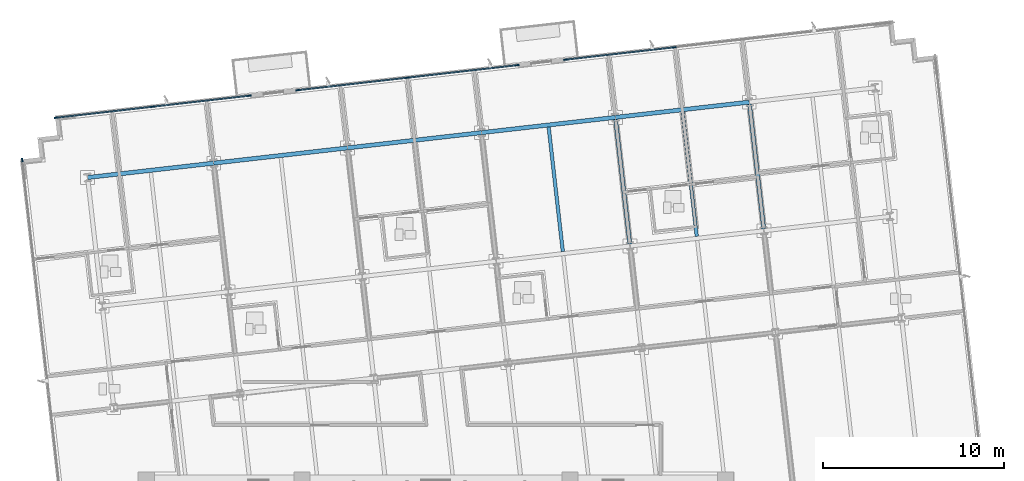
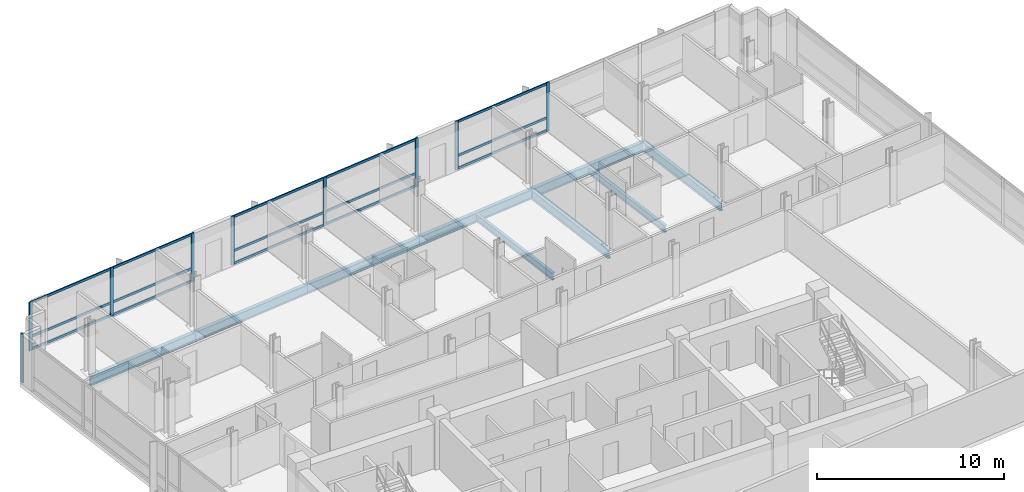
# One storey, part 5 of 17: 24 members, 9 beams, 4 elements without a shape of their own.
"""IFC4 building model written with IfcOpenShell, lengths in metres."""

from ifc_helpers import new_model, si_unit, direction, frame, origin, origin_2d, place, context, subcontext, project, spatial, rectangle, i_section, extrude, material, material_profile, profile_set, type_object, element, aggregate, save


model = new_model("IFC4")

# Units and contexts
model_context = context("Model", 3, precision=1e-05, world=origin(), true_north=direction((0.0, 1.0)))
body_context = subcontext(model_context, "Body", "Model", "MODEL_VIEW")
ifc_project = project(units=[si_unit("LENGTHUNIT", "METRE"), si_unit("AREAUNIT", "SQUARE_METRE"), si_unit("VOLUMEUNIT", "CUBIC_METRE"), si_unit("PLANEANGLEUNIT", "RADIAN"), si_unit("MASSUNIT", "GRAM", prefix="KILO")], contexts=[model_context])

# Site, building, storey
site_placement = place(None, origin())
site = spatial("IfcSite", under=ifc_project, at=site_placement, CompositionType="ELEMENT")
building_placement = place(site_placement, origin())
building = spatial("IfcBuilding", under=site, at=building_placement, Name="Solmavex Isthmus Hotel", CompositionType="ELEMENT")
storey_placement = place(building_placement, frame((0.0, 0.0, 198.60009765625)))
storey = spatial("IfcBuildingStorey", under=building, at=storey_placement, Name="L53", CompositionType="ELEMENT", Elevation=198.60009765625)

# Beams
ifc_material_1 = material(Name="Steel ASTM A992 Grade 50", Category="steel")
ifc_material_profile_1 = material_profile(ifc_material_1, i_section(OverallWidth=0.1904296875, OverallDepth=0.456787109375, WebThickness=0.009033203125, FlangeThickness=0.014404296875, FilletRadius=0.0126953125, at=origin_2d()), Name="W18X50")
ifc_profile_set_1 = profile_set([ifc_material_profile_1], Name="Steel ASTM A992 Grade 50")
beam_type_1 = type_object("IfcBeamType", Name="BM-BJ-W18X50", PredefinedType="JOIST", material=ifc_profile_set_1)
for number, where, z_axis, x_axis, name in (
    (1, (7.009033203125, 10.1328125, -0.488525390625), (-0.113202453846, 0.993571942258, 0.0), (-0.993571942258, -0.113202453846, 0.0), "Secondary Floor Joist L53-J14"),
    (2, (14.4072265625, 10.975830078125, -0.488525390625), (-0.113202453846, 0.993571942258, 0.0), (-0.993571942258, -0.113202453846, 0.0), "Secondary Floor Joist L53-J18"),
):
    element("IfcBeam", number, at=place(storey_placement, frame(where, z_axis=z_axis, x_axis=x_axis)), inside=storey, type_object=beam_type_1, Name=name, PredefinedType="JOIST", context=body_context, shape_type="SweptSolid", body=[
        extrude(i_section(OverallWidth=0.1904296875, OverallDepth=0.456787109375, WebThickness=0.009033203125, FlangeThickness=0.014404296875, FilletRadius=0.0126953125, at=origin_2d()), origin(), (0.0, 0.0, 1.0), 6.9228515625),
    ])
ifc_material_profile_2 = material_profile(ifc_material_1, i_section(OverallWidth=0.227783203125, OverallDepth=0.602783203125, WebThickness=0.010498046875, FlangeThickness=0.014892578125, FilletRadius=0.01513671875, at=origin_2d()), Name="W24X68")
ifc_profile_set_2 = profile_set([ifc_material_profile_2], Name="Steel ASTM A992 Grade 50")
beam_type_2 = type_object("IfcBeamType", Name="BM-BM-W24X68", PredefinedType="BEAM", material=ifc_profile_set_2)
for number, where, z_axis, x_axis, name in (
    (3, (10.708251953125, 10.55419921875, -0.5615234375), (-0.113202453846, 0.993571942258, 0.0), (-0.993571942258, -0.113202453846, 0.0), "Floor Beam L53-VG39"),
    (4, (18.106201171875, 11.397216796875, -0.5615234375), (-0.113202453846, 0.993571942258, 0.0), (-0.993571942258, -0.113202453846, 0.0), "Floor Beam L53-VG42"),
):
    element("IfcBeam", number, at=place(storey_placement, frame(where, z_axis=z_axis, x_axis=x_axis)), inside=storey, type_object=beam_type_2, Name=name, PredefinedType="BEAM", context=body_context, shape_type="SweptSolid", body=[
        extrude(i_section(OverallWidth=0.227783203125, OverallDepth=0.602783203125, WebThickness=0.010498046875, FlangeThickness=0.014892578125, FilletRadius=0.01513671875, at=origin_2d()), origin(), (0.0, 0.0, 1.0), 6.9228515625),
    ])
ifc_material_profile_3 = material_profile(ifc_material_1, i_section(OverallWidth=0.230224609375, OverallDepth=0.617431640625, WebThickness=0.01318359375, FlangeThickness=0.022216796875, FilletRadius=0.01513671875, at=origin_2d()), Name="W24X94")
ifc_profile_set_3 = profile_set([ifc_material_profile_3], Name="Steel ASTM A992 Grade 50")
beam_type_3 = type_object("IfcBeamType", Name="BM-SP-W24X94", PredefinedType="SPANDREL", material=ifc_profile_set_3)
beam_1_placement = place(storey_placement, frame((-19.245849609375, 14.22509765625, -0.56884765625), z_axis=(0.99357359356, 0.113187959519, 0.0), x_axis=(-0.113187959519, 0.99357359356, 0.0)))
element("IfcBeam", 5, at=beam_1_placement, inside=storey, type_object=beam_type_3, Name="Floor Girder L53-UG18", PredefinedType="SPANDREL", context=body_context, shape_type="SweptSolid", body=[
    extrude(i_section(OverallWidth=0.230224609375, OverallDepth=0.617431640625, WebThickness=0.01318359375, FlangeThickness=0.022216796875, FilletRadius=0.01513671875, at=origin_2d()), origin(), (0.0, 0.0, 1.0), 7.0078125),
])
beam_2_placement = place(storey_placement, frame((-12.282958984375, 15.018310546875, -0.56884765625), z_axis=(0.9935703463, 0.113216460607, 0.0), x_axis=(-0.113216460607, 0.9935703463, 0.0)))
element("IfcBeam", 6, at=beam_2_placement, inside=storey, type_object=beam_type_3, Name="Floor Girder L53-UG19", PredefinedType="SPANDREL", context=body_context, shape_type="SweptSolid", body=[
    extrude(i_section(OverallWidth=0.230224609375, OverallDepth=0.617431640625, WebThickness=0.01318359375, FlangeThickness=0.022216796875, FilletRadius=0.01513671875, at=origin_2d()), origin(), (0.0, 0.0, 1.0), 7.446044921875),
])
beam_3_placement = place(storey_placement, frame((-4.884765625, 15.861328125, -0.56884765625), z_axis=(0.993573613989, 0.113187780196, 0.0), x_axis=(-0.113187780196, 0.993573613989, 0.0)))
element("IfcBeam", 7, at=beam_3_placement, inside=storey, type_object=beam_type_3, Name="Floor Girder L53-UG20", PredefinedType="SPANDREL", context=body_context, shape_type="SweptSolid", body=[
    extrude(i_section(OverallWidth=0.230224609375, OverallDepth=0.617431640625, WebThickness=0.01318359375, FlangeThickness=0.022216796875, FilletRadius=0.01513671875, at=origin_2d()), origin(), (0.0, 0.0, 1.0), 7.44580078125),
])
for number, where, z_axis, x_axis, name in (
    (8, (2.51318359375, 16.7041015625, -0.56884765625), (0.9935703463, 0.113216460607, 0.0), (-0.113216460607, 0.9935703463, 0.0), "Floor Girder L53-UG21"),
    (9, (9.911376953125, 17.547119140625, -0.56884765625), (0.9935703463, 0.113216460607, 0.0), (-0.113216460607, 0.9935703463, 0.0), "Floor Girder L53-UG22"),
):
    element("IfcBeam", number, at=place(storey_placement, frame(where, z_axis=z_axis, x_axis=x_axis)), inside=storey, type_object=beam_type_3, Name=name, PredefinedType="SPANDREL", context=body_context, shape_type="SweptSolid", body=[
        extrude(i_section(OverallWidth=0.230224609375, OverallDepth=0.617431640625, WebThickness=0.01318359375, FlangeThickness=0.022216796875, FilletRadius=0.01513671875, at=origin_2d()), origin(), (0.0, 0.0, 1.0), 7.446044921875),
    ])

# Curtain wall, members
ifc_material_2 = material(Name="Aluminium alloy 6063-T6", Category="aluminium")
curtain_wall_type = type_object("IfcCurtainWallType", Name="CW-SYS-04", PredefinedType="NOTDEFINED", material=ifc_material_2)
curtain_wall_1_placement = place(storey_placement, origin())
curtain_wall_1 = element("IfcCurtainWall", 10, at=curtain_wall_1_placement, inside=storey, type_object=curtain_wall_type, Name="Stick Curtain Wall CWL-L53-N1", PredefinedType="NOTDEFINED")
ifc_material_profile_4 = material_profile(ifc_material_2, rectangle(XDim=0.074951171875, YDim=0.199951171875, at=origin_2d()), Name="CWM-75X200")
ifc_profile_set_4 = profile_set([ifc_material_profile_4], Name="Aluminium alloy 6063-T6")
member_type_1 = type_object("IfcMemberType", Name="CW-SYS-04-MUL", PredefinedType="MULLION", material=ifc_profile_set_4)
member_1_placement = place(storey_placement, frame((-20.99365234375, 17.528564453125, 0.0), z_axis=(0.0, 0.0, 1.0), x_axis=(-0.113202814871, 0.993571901125, 0.0)))
member_1 = element("IfcMember", 11, at=member_1_placement, type_object=member_type_1, Name="CW-04 mullion 1", PredefinedType="MULLION", context=body_context, shape_type="SweptSolid", body=[
    extrude(rectangle(XDim=0.074951171875, YDim=0.199951171875, at=origin_2d()), origin(), (0.0, 0.0, 1.0), 3.18994140625),
])
member_2_placement = place(storey_placement, frame((-15.650146484375, 18.13720703125, 0.0), z_axis=(0.0, 0.0, 1.0), x_axis=(-0.113202814871, 0.993571901125, 0.0)))
member_2 = element("IfcMember", 12, at=member_2_placement, type_object=member_type_1, Name="CW-04 mullion 2", PredefinedType="MULLION", context=body_context, shape_type="SweptSolid", body=[
    extrude(rectangle(XDim=0.074951171875, YDim=0.199951171875, at=origin_2d()), origin(), (0.0, 0.0, 1.0), 3.18994140625),
])
member_3_placement = place(storey_placement, frame((-10.306884765625, 18.74609375, 0.0), z_axis=(0.0, 0.0, 1.0), x_axis=(-0.113202814871, 0.993571901125, 0.0)))
member_3 = element("IfcMember", 13, at=member_3_placement, type_object=member_type_1, Name="CW-04 mullion 3", PredefinedType="MULLION", context=body_context, shape_type="SweptSolid", body=[
    extrude(rectangle(XDim=0.074951171875, YDim=0.199951171875, at=origin_2d()), origin(), (0.0, 0.0, 1.0), 3.18994140625),
])

curtain_wall_2_placement = place(storey_placement, origin())
curtain_wall_2 = element("IfcCurtainWall", 14, at=curtain_wall_2_placement, inside=storey, type_object=curtain_wall_type, Name="Stick Curtain Wall CWL-L53-N2", PredefinedType="NOTDEFINED")
member_4_placement = place(storey_placement, frame((-7.64892578125, 19.048828125, 0.0), z_axis=(0.0, 0.0, 1.0), x_axis=(-0.113202856801, 0.993571896348, 0.0)))
member_4 = element("IfcMember", 15, at=member_4_placement, type_object=member_type_1, Name="CW-04 mullion 1", PredefinedType="MULLION", context=body_context, shape_type="SweptSolid", body=[
    extrude(rectangle(XDim=0.074951171875, YDim=0.199951171875, at=origin_2d()), origin(), (0.0, 0.0, 1.0), 3.18994140625),
])
member_5_placement = place(storey_placement, frame((-1.579833984375, 19.740478515625, 0.0), z_axis=(0.0, 0.0, 1.0), x_axis=(-0.113202856801, 0.993571896348, 0.0)))
member_5 = element("IfcMember", 16, at=member_5_placement, type_object=member_type_1, Name="CW-04 mullion 2", PredefinedType="MULLION", context=body_context, shape_type="SweptSolid", body=[
    extrude(rectangle(XDim=0.074951171875, YDim=0.199951171875, at=origin_2d()), origin(), (0.0, 0.0, 1.0), 3.18994140625),
])
member_6_placement = place(storey_placement, frame((4.489501953125, 20.431884765625, 0.0), z_axis=(0.0, 0.0, 1.0), x_axis=(-0.113202856801, 0.993571896348, 0.0)))
member_6 = element("IfcMember", 17, at=member_6_placement, type_object=member_type_1, Name="CW-04 mullion 3", PredefinedType="MULLION", context=body_context, shape_type="SweptSolid", body=[
    extrude(rectangle(XDim=0.074951171875, YDim=0.199951171875, at=origin_2d()), origin(), (0.0, 0.0, 1.0), 3.18994140625),
])

curtain_wall_3_placement = place(storey_placement, origin())
curtain_wall_3 = element("IfcCurtainWall", 18, at=curtain_wall_3_placement, inside=storey, type_object=curtain_wall_type, Name="Stick Curtain Wall CWL-L53-N3", PredefinedType="NOTDEFINED")
member_7_placement = place(storey_placement, frame((7.147216796875, 20.734619140625, 0.0), z_axis=(0.0, 0.0, 1.0), x_axis=(-0.113203493636, 0.99357182379, 0.0)))
member_7 = element("IfcMember", 19, at=member_7_placement, type_object=member_type_1, Name="CW-04 mullion 1", PredefinedType="MULLION", context=body_context, shape_type="SweptSolid", body=[
    extrude(rectangle(XDim=0.074951171875, YDim=0.199951171875, at=origin_2d()), origin(), (0.0, 0.0, 1.0), 3.18994140625),
])
member_8_placement = place(storey_placement, frame((13.163330078125, 21.420166015625, 0.0), z_axis=(0.0, 0.0, 1.0), x_axis=(-0.113203493636, 0.99357182379, 0.0)))
member_8 = element("IfcMember", 20, at=member_8_placement, type_object=member_type_1, Name="CW-04 mullion 2", PredefinedType="MULLION", context=body_context, shape_type="SweptSolid", body=[
    extrude(rectangle(XDim=0.074951171875, YDim=0.199951171875, at=origin_2d()), origin(), (0.0, 0.0, 1.0), 3.18994140625),
])

# Curtain wall, member
curtain_wall_4_placement = place(storey_placement, origin())
curtain_wall_4 = element("IfcCurtainWall", 21, at=curtain_wall_4_placement, inside=storey, type_object=curtain_wall_type, Name="Stick Curtain Wall CWL-L53-W1", PredefinedType="NOTDEFINED")
member_9_placement = place(storey_placement, frame((-22.85791015625, 15.184814453125, 0.0), z_axis=(0.0, 0.0, 1.0), x_axis=(-0.993571836648, -0.11320338078, 0.0)))
member_9 = element("IfcMember", 22, at=member_9_placement, type_object=member_type_1, Name="CW-04 mullion 6", PredefinedType="MULLION", context=body_context, shape_type="SweptSolid", body=[
    extrude(rectangle(XDim=0.074951171875, YDim=0.199951171875, at=origin_2d()), origin(), (0.0, 0.0, 1.0), 3.18994140625),
])
aggregate(curtain_wall_4, [member_9])

# Member
ifc_material_profile_5 = material_profile(ifc_material_2, rectangle(XDim=0.074951171875, YDim=0.14990234375, at=origin_2d()), Name="CWT-75X150")
ifc_profile_set_5 = profile_set([ifc_material_profile_5], Name="Aluminium alloy 6063-T6")
member_type_2 = type_object("IfcMemberType", Name="CW-SYS-04-TRN", PredefinedType="USERDEFINED", material=ifc_profile_set_5)
member_10_placement = place(storey_placement, frame((-20.956298828125, 17.53271484375, 0.074951171875), z_axis=(0.993571049718, 0.113210287348, 0.0), x_axis=(-0.113210287348, 0.993571049718, 0.0)))
member_10 = element("IfcMember", 23, at=member_10_placement, type_object=member_type_2, Name="CW-04 transom 1.1", ObjectType="TRANSOM", PredefinedType="USERDEFINED", context=body_context, shape_type="SweptSolid", body=[
    extrude(rectangle(XDim=0.074951171875, YDim=0.14990234375, at=origin_2d()), origin(), (0.0, 0.0, 1.0), 5.302978515625),
])

member_11_placement = place(storey_placement, frame((-20.956298828125, 17.53271484375, 0.89990234375), z_axis=(0.993571049718, 0.113210287348, 0.0), x_axis=(-0.113210287348, 0.993571049718, 0.0)))
member_11 = element("IfcMember", 24, at=member_11_placement, type_object=member_type_2, Name="CW-04 transom 1.2", ObjectType="TRANSOM", PredefinedType="USERDEFINED", context=body_context, shape_type="SweptSolid", body=[
    extrude(rectangle(XDim=0.074951171875, YDim=0.14990234375, at=origin_2d()), origin(), (0.0, 0.0, 1.0), 5.302978515625),
])

member_12_placement = place(storey_placement, frame((-20.956298828125, 17.53271484375, 3.114990234375), z_axis=(0.993571049718, 0.113210287348, 0.0), x_axis=(-0.113210287348, 0.993571049718, 0.0)))
member_12 = element("IfcMember", 25, at=member_12_placement, type_object=member_type_2, Name="CW-04 transom 1.3", ObjectType="TRANSOM", PredefinedType="USERDEFINED", context=body_context, shape_type="SweptSolid", body=[
    extrude(rectangle(XDim=0.074951171875, YDim=0.14990234375, at=origin_2d()), origin(), (0.0, 0.0, 1.0), 5.302978515625),
])

member_13_placement = place(storey_placement, frame((-15.613037109375, 18.1416015625, 0.074951171875), z_axis=(0.993571639742, 0.113205108986, 0.0), x_axis=(-0.113205108986, 0.993571639742, 0.0)))
member_13 = element("IfcMember", 26, at=member_13_placement, type_object=member_type_2, Name="CW-04 transom 2.1", ObjectType="TRANSOM", PredefinedType="USERDEFINED", context=body_context, shape_type="SweptSolid", body=[
    extrude(rectangle(XDim=0.074951171875, YDim=0.14990234375, at=origin_2d()), origin(), (0.0, 0.0, 1.0), 5.30322265625),
])

member_14_placement = place(storey_placement, frame((-15.613037109375, 18.1416015625, 0.89990234375), z_axis=(0.993571639742, 0.113205108986, 0.0), x_axis=(-0.113205108986, 0.993571639742, 0.0)))
member_14 = element("IfcMember", 27, at=member_14_placement, type_object=member_type_2, Name="CW-04 transom 2.2", ObjectType="TRANSOM", PredefinedType="USERDEFINED", context=body_context, shape_type="SweptSolid", body=[
    extrude(rectangle(XDim=0.074951171875, YDim=0.14990234375, at=origin_2d()), origin(), (0.0, 0.0, 1.0), 5.30322265625),
])

member_15_placement = place(storey_placement, frame((-15.613037109375, 18.1416015625, 3.114990234375), z_axis=(0.993571639742, 0.113205108986, 0.0), x_axis=(-0.113205108986, 0.993571639742, 0.0)))
member_15 = element("IfcMember", 28, at=member_15_placement, type_object=member_type_2, Name="CW-04 transom 2.3", ObjectType="TRANSOM", PredefinedType="USERDEFINED", context=body_context, shape_type="SweptSolid", body=[
    extrude(rectangle(XDim=0.074951171875, YDim=0.14990234375, at=origin_2d()), origin(), (0.0, 0.0, 1.0), 5.30322265625),
])

aggregate(curtain_wall_1, [member_1, member_2, member_3, member_10, member_11, member_12, member_13, member_14, member_15])

member_16_placement = place(storey_placement, frame((-7.61181640625, 19.05322265625, 0.074951171875), z_axis=(0.993574990392, 0.113175697338, 0.0), x_axis=(-0.113175697338, 0.993574990392, 0.0)))
member_16 = element("IfcMember", 29, at=member_16_placement, type_object=member_type_2, Name="CW-04 transom 1.1", ObjectType="TRANSOM", PredefinedType="USERDEFINED", context=body_context, shape_type="SweptSolid", body=[
    extrude(rectangle(XDim=0.074951171875, YDim=0.14990234375, at=origin_2d()), origin(), (0.0, 0.0, 1.0), 6.03369140625),
])

member_17_placement = place(storey_placement, frame((-7.61181640625, 19.05322265625, 0.89990234375), z_axis=(0.993574990392, 0.113175697338, 0.0), x_axis=(-0.113175697338, 0.993574990392, 0.0)))
member_17 = element("IfcMember", 30, at=member_17_placement, type_object=member_type_2, Name="CW-04 transom 1.2", ObjectType="TRANSOM", PredefinedType="USERDEFINED", context=body_context, shape_type="SweptSolid", body=[
    extrude(rectangle(XDim=0.074951171875, YDim=0.14990234375, at=origin_2d()), origin(), (0.0, 0.0, 1.0), 6.03369140625),
])

member_18_placement = place(storey_placement, frame((-7.61181640625, 19.05322265625, 3.114990234375), z_axis=(0.993574990392, 0.113175697338, 0.0), x_axis=(-0.113175697338, 0.993574990392, 0.0)))
member_18 = element("IfcMember", 31, at=member_18_placement, type_object=member_type_2, Name="CW-04 transom 1.3", ObjectType="TRANSOM", PredefinedType="USERDEFINED", context=body_context, shape_type="SweptSolid", body=[
    extrude(rectangle(XDim=0.074951171875, YDim=0.14990234375, at=origin_2d()), origin(), (0.0, 0.0, 1.0), 6.03369140625),
])

member_19_placement = place(storey_placement, frame((-1.54248046875, 19.74462890625, 0.074951171875), z_axis=(0.993569920899, 0.113220193804, 0.0), x_axis=(-0.113220193804, 0.993569920899, 0.0)))
member_19 = element("IfcMember", 32, at=member_19_placement, type_object=member_type_2, Name="CW-04 transom 2.1", ObjectType="TRANSOM", PredefinedType="USERDEFINED", context=body_context, shape_type="SweptSolid", body=[
    extrude(rectangle(XDim=0.074951171875, YDim=0.14990234375, at=origin_2d()), origin(), (0.0, 0.0, 1.0), 6.033447265625),
])

member_20_placement = place(storey_placement, frame((-1.54248046875, 19.74462890625, 0.89990234375), z_axis=(0.993569920899, 0.113220193804, 0.0), x_axis=(-0.113220193804, 0.993569920899, 0.0)))
member_20 = element("IfcMember", 33, at=member_20_placement, type_object=member_type_2, Name="CW-04 transom 2.2", ObjectType="TRANSOM", PredefinedType="USERDEFINED", context=body_context, shape_type="SweptSolid", body=[
    extrude(rectangle(XDim=0.074951171875, YDim=0.14990234375, at=origin_2d()), origin(), (0.0, 0.0, 1.0), 6.033447265625),
])

member_21_placement = place(storey_placement, frame((-1.54248046875, 19.74462890625, 3.114990234375), z_axis=(0.993569920899, 0.113220193804, 0.0), x_axis=(-0.113220193804, 0.993569920899, 0.0)))
member_21 = element("IfcMember", 34, at=member_21_placement, type_object=member_type_2, Name="CW-04 transom 2.3", ObjectType="TRANSOM", PredefinedType="USERDEFINED", context=body_context, shape_type="SweptSolid", body=[
    extrude(rectangle(XDim=0.074951171875, YDim=0.14990234375, at=origin_2d()), origin(), (0.0, 0.0, 1.0), 6.033447265625),
])

aggregate(curtain_wall_2, [member_4, member_5, member_6, member_16, member_17, member_18, member_19, member_20, member_21])

member_22_placement = place(storey_placement, frame((7.1845703125, 20.739013671875, 0.074951171875), z_axis=(0.993570647741, 0.113213815179, 0.0), x_axis=(-0.113213815179, 0.993570647741, 0.0)))
member_22 = element("IfcMember", 35, at=member_22_placement, type_object=member_type_2, Name="CW-04 transom 1.1", ObjectType="TRANSOM", PredefinedType="USERDEFINED", context=body_context, shape_type="SweptSolid", body=[
    extrude(rectangle(XDim=0.074951171875, YDim=0.14990234375, at=origin_2d()), origin(), (0.0, 0.0, 1.0), 5.979736328125),
])

member_23_placement = place(storey_placement, frame((7.1845703125, 20.739013671875, 0.89990234375), z_axis=(0.993570647741, 0.113213815179, 0.0), x_axis=(-0.113213815179, 0.993570647741, 0.0)))
member_23 = element("IfcMember", 36, at=member_23_placement, type_object=member_type_2, Name="CW-04 transom 1.2", ObjectType="TRANSOM", PredefinedType="USERDEFINED", context=body_context, shape_type="SweptSolid", body=[
    extrude(rectangle(XDim=0.074951171875, YDim=0.14990234375, at=origin_2d()), origin(), (0.0, 0.0, 1.0), 5.979736328125),
])

member_24_placement = place(storey_placement, frame((7.1845703125, 20.739013671875, 3.114990234375), z_axis=(0.993570647741, 0.113213815179, 0.0), x_axis=(-0.113213815179, 0.993570647741, 0.0)))
member_24 = element("IfcMember", 37, at=member_24_placement, type_object=member_type_2, Name="CW-04 transom 1.3", ObjectType="TRANSOM", PredefinedType="USERDEFINED", context=body_context, shape_type="SweptSolid", body=[
    extrude(rectangle(XDim=0.074951171875, YDim=0.14990234375, at=origin_2d()), origin(), (0.0, 0.0, 1.0), 5.979736328125),
])

aggregate(curtain_wall_3, [member_7, member_8, member_22, member_23, member_24])

save(model, "model.ifc")
